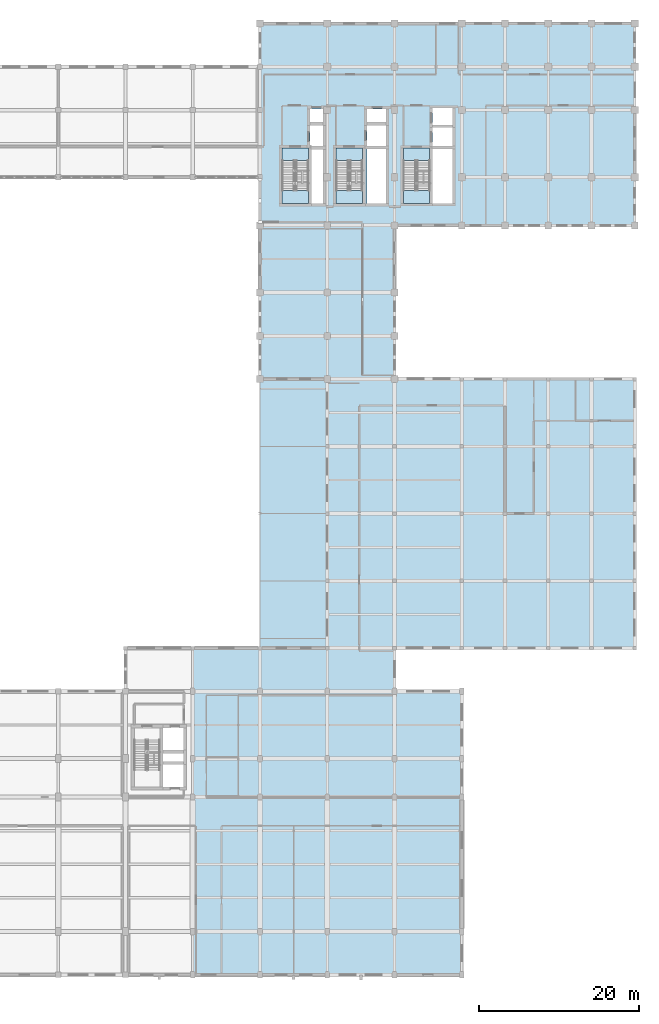
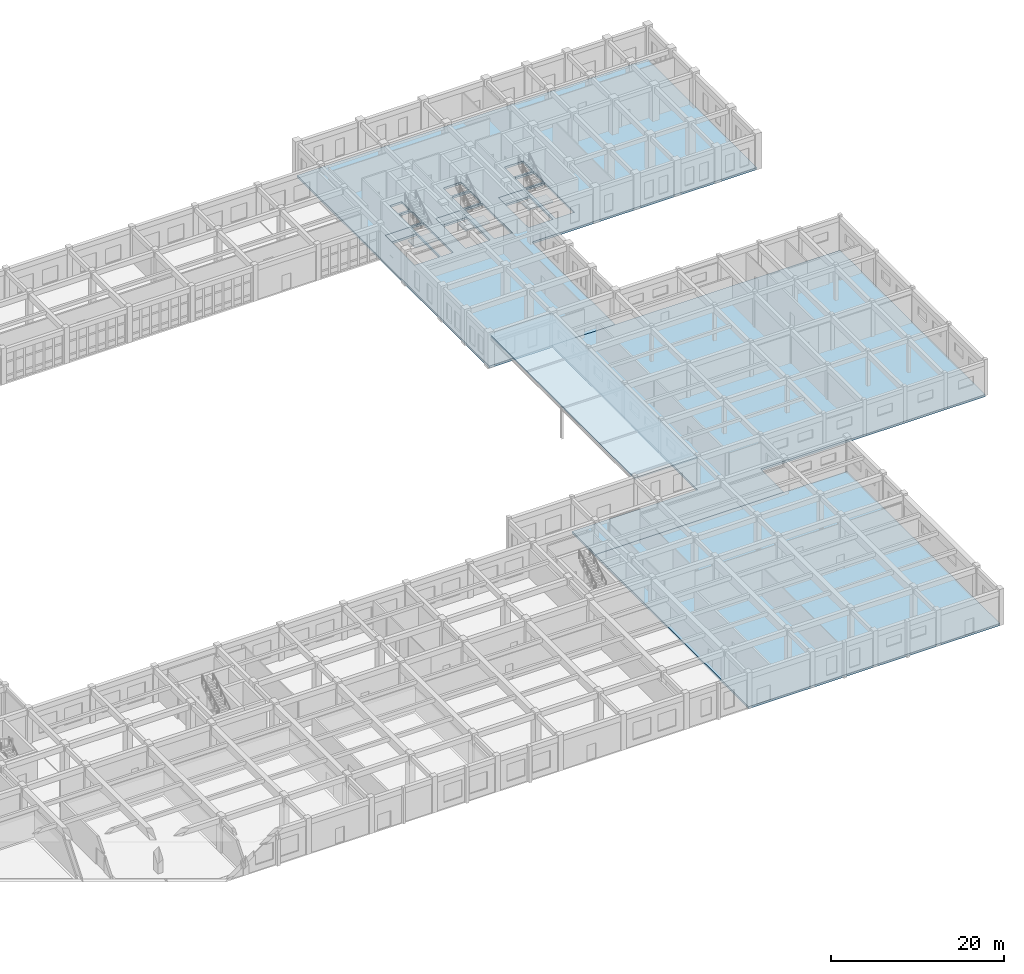
# One storey, part 50 of 80: 10 slabs, 3 elements without a shape of their own.
"""IFC4 building model written with IfcOpenShell, lengths in metres."""

from ifc_helpers import new_model, si_unit, direction, frame, origin, place, context, subcontext, project, spatial, polyline, outline, extrude, material, layer, layer_set, type_object, element, aggregate, save


model = new_model("IFC4")

# Units and contexts
model_context = context("Model", 3, precision=1e-05, world=origin(), true_north=direction((0.0, 1.0)))
body_context = subcontext(model_context, "Body", "Model", "MODEL_VIEW")
ifc_project = project(units=[si_unit("LENGTHUNIT", "METRE"), si_unit("AREAUNIT", "SQUARE_METRE"), si_unit("VOLUMEUNIT", "CUBIC_METRE"), si_unit("PLANEANGLEUNIT", "RADIAN"), si_unit("MASSUNIT", "GRAM", prefix="KILO")], contexts=[model_context])

# Site, building, storey
site_placement = place(None, origin())
site = spatial("IfcSite", under=ifc_project, at=site_placement, CompositionType="ELEMENT")
building_placement = place(site_placement, origin())
building = spatial("IfcBuilding", under=site, at=building_placement, Name="Krzemoval Escarpment Law Courts", CompositionType="ELEMENT")
storey_placement = place(building_placement, origin())
storey = spatial("IfcBuildingStorey", under=building, at=storey_placement, Name="L00", CompositionType="ELEMENT", Elevation=0.0)

# Slabs
ifc_material_1 = material(Name="Concrete C40/50", Category="concrete")
ifc_layer_1 = layer(ifc_material_1, 0.300048828125)
ifc_layer_set_1 = layer_set([ifc_layer_1], Name="Concrete C40/50")
slab_type_1 = type_object("IfcSlabType", Name="SL-FLR-300", PredefinedType="FLOOR", material=ifc_layer_set_1)
slab_1_placement = place(storey_placement, frame((0.0, 0.0, -0.300048828125)))
element("IfcSlab", 1, at=slab_1_placement, inside=storey, type_object=slab_type_1, Name="Floor Slab SL-L00-V3-010", PredefinedType="FLOOR", context=body_context, shape_type="SweptSolid", body=[
    extrude(outline(polyline([(151.199951171875, 35.39990234375), (151.199951171875, 0.0), (117.639892578125, 0.0), (117.639892578125, 35.39990234375), (151.199951171875, 35.39990234375)])), origin(), (0.0, 0.0, 1.0), 0.300048828125),
])
slab_2_placement = place(storey_placement, frame((0.0, 0.0, -0.300048828125)))
element("IfcSlab", 2, at=slab_2_placement, inside=storey, type_object=slab_type_1, Name="Floor Slab SL-L00-V5-014", PredefinedType="FLOOR", context=body_context, shape_type="SweptSolid", body=[
    extrude(outline(polyline([(142.800048828125, 93.60009765625), (142.800048828125, 74.39990234375), (126.0, 74.39990234375), (126.0, 118.800048828125), (172.800048828125, 118.800048828125), (172.800048828125, 93.60009765625), (142.800048828125, 93.60009765625)]), holes=[polyline([(133.85009765625, 103.5), (133.85009765625, 106.10009765625), (132.25, 106.10009765625), (132.25, 103.5), (133.85009765625, 103.5)]), polyline([(132.25, 106.35009765625), (133.85009765625, 106.35009765625), (133.85009765625, 108.14990234375), (132.25, 108.14990234375), (132.25, 106.35009765625)]), polyline([(132.25, 103.25), (132.25, 96.35009765625), (133.85009765625, 96.35009765625), (133.85009765625, 103.25), (132.25, 103.25)]), polyline([(141.75, 106.10009765625), (139.35009765625, 106.10009765625), (139.35009765625, 103.5), (141.75, 103.5), (141.75, 106.10009765625)]), polyline([(141.75, 106.35009765625), (141.75, 108.14990234375), (139.35009765625, 108.14990234375), (139.35009765625, 106.35009765625), (141.75, 106.35009765625)]), polyline([(139.35009765625, 96.35009765625), (141.75, 96.35009765625), (141.75, 103.25), (139.35009765625, 103.25), (139.35009765625, 96.35009765625)]), polyline([(147.550048828125, 105.800048828125), (147.550048828125, 103.5), (150.050048828125, 103.5), (150.050048828125, 105.800048828125), (147.550048828125, 105.800048828125)]), polyline([(150.050048828125, 108.25), (147.550048828125, 108.25), (147.550048828125, 106.050048828125), (150.050048828125, 106.050048828125), (150.050048828125, 108.25)]), polyline([(150.050048828125, 96.35009765625), (150.050048828125, 103.25), (147.550048828125, 103.25), (147.550048828125, 96.35009765625), (150.050048828125, 96.35009765625)]), polyline([(128.75, 96.35009765625), (132.050048828125, 96.35009765625), (132.050048828125, 103.25), (128.75, 103.25), (128.75, 96.35009765625)]), polyline([(135.5, 103.25), (135.5, 96.35009765625), (138.800048828125, 96.35009765625), (138.800048828125, 103.25), (135.5, 103.25)]), polyline([(147.199951171875, 103.25), (143.89990234375, 103.25), (143.89990234375, 96.35009765625), (147.199951171875, 96.35009765625), (147.199951171875, 103.25)])]), origin(), (0.0, 0.0, 1.0), 0.300048828125),
])
slab_3_placement = place(storey_placement, frame((0.0, 0.0, -0.300048828125)))
element("IfcSlab", 3, at=slab_3_placement, inside=storey, type_object=slab_type_1, Name="Floor Slab SL-L00-V6-016", PredefinedType="FLOOR", context=body_context, shape_type="SweptSolid", body=[
    extrude(outline(polyline([(117.639892578125, 35.39990234375), (117.639892578125, 40.800048828125), (134.39990234375, 40.800048828125), (134.39990234375, 74.39990234375), (172.800048828125, 74.39990234375), (172.800048828125, 40.800048828125), (142.800048828125, 40.800048828125), (142.800048828125, 35.39990234375), (117.639892578125, 35.39990234375)])), origin(), (0.0, 0.0, 1.0), 0.300048828125),
])
slab_4_placement = place(storey_placement, frame((0.0, 0.0, -0.300048828125)))
element("IfcSlab", 4, at=slab_4_placement, inside=storey, type_object=slab_type_1, Name="Core Floor Landing Slab SL-ST1-L00-FL", PredefinedType="FLOOR", context=body_context, shape_type="SweptSolid", body=[
    extrude(outline(polyline([(128.75, 103.25), (128.75, 101.699951171875), (132.050048828125, 101.699951171875), (132.050048828125, 103.25), (128.75, 103.25)])), origin(), (0.0, 0.0, 1.0), 0.300048828125),
])
slab_5_placement = place(storey_placement, frame((0.0, 0.0, -0.300048828125)))
element("IfcSlab", 5, at=slab_5_placement, inside=storey, type_object=slab_type_1, Name="Core Floor Landing Slab SL-ST2-L00-FL", PredefinedType="FLOOR", context=body_context, shape_type="SweptSolid", body=[
    extrude(outline(polyline([(135.5, 103.25), (135.5, 101.699951171875), (138.800048828125, 101.699951171875), (138.800048828125, 103.25), (135.5, 103.25)])), origin(), (0.0, 0.0, 1.0), 0.300048828125),
])
slab_6_placement = place(storey_placement, frame((0.0, 0.0, -0.300048828125)))
element("IfcSlab", 6, at=slab_6_placement, inside=storey, type_object=slab_type_1, Name="Core Floor Landing Slab SL-ST3-L00-FL", PredefinedType="FLOOR", context=body_context, shape_type="SweptSolid", body=[
    extrude(outline(polyline([(143.89990234375, 103.25), (143.89990234375, 101.699951171875), (147.199951171875, 101.699951171875), (147.199951171875, 103.25), (143.89990234375, 103.25)])), origin(), (0.0, 0.0, 1.0), 0.300048828125),
])

# Stair, slab
ifc_material_2 = material(Name="Concrete C40/50", Category="concrete")
stair_type = type_object("IfcStairType", Name="STR-CORE-1550", PredefinedType="HALF_TURN_STAIR", material=ifc_material_2)
stair_1_placement = place(storey_placement, origin())
stair_1 = element("IfcStair", 7, at=stair_1_placement, inside=storey, type_object=stair_type, Name="L00 ST1", PredefinedType="HALF_TURN_STAIR")
ifc_material_3 = material(Name="Concrete C40/50", Category="concrete")
ifc_layer_2 = layer(ifc_material_3, 0.199951171875)
ifc_layer_set_2 = layer_set([ifc_layer_2], Name="Concrete C40/50")
slab_type_2 = type_object("IfcSlabType", Name="SL-LND-200", PredefinedType="LANDING", material=ifc_layer_set_2)
slab_7_placement = place(storey_placement, frame((0.0, 0.0, 2.35009765625)))
slab_7 = element("IfcSlab", 8, at=slab_7_placement, type_object=slab_type_2, Name="ST1 landing 1", PredefinedType="LANDING", context=body_context, shape_type="SweptSolid", body=[
    extrude(outline(polyline([(128.75, 97.929931640625), (128.75, 96.35009765625), (132.050048828125, 96.35009765625), (132.050048828125, 97.929931640625), (128.75, 97.929931640625)])), origin(), (0.0, 0.0, 1.0), 0.199951171875),
])
aggregate(stair_1, [slab_7])

stair_2_placement = place(storey_placement, origin())
stair_2 = element("IfcStair", 9, at=stair_2_placement, inside=storey, type_object=stair_type, Name="L00 ST2", PredefinedType="HALF_TURN_STAIR")
slab_8_placement = place(storey_placement, frame((0.0, 0.0, 2.35009765625)))
slab_8 = element("IfcSlab", 10, at=slab_8_placement, type_object=slab_type_2, Name="ST2 landing 1", PredefinedType="LANDING", context=body_context, shape_type="SweptSolid", body=[
    extrude(outline(polyline([(135.5, 97.929931640625), (135.5, 96.35009765625), (138.800048828125, 96.35009765625), (138.800048828125, 97.929931640625), (135.5, 97.929931640625)])), origin(), (0.0, 0.0, 1.0), 0.199951171875),
])
aggregate(stair_2, [slab_8])

stair_3_placement = place(storey_placement, origin())
stair_3 = element("IfcStair", 11, at=stair_3_placement, inside=storey, type_object=stair_type, Name="L00 ST3", PredefinedType="HALF_TURN_STAIR")
slab_9_placement = place(storey_placement, frame((0.0, 0.0, 2.35009765625)))
slab_9 = element("IfcSlab", 12, at=slab_9_placement, type_object=slab_type_2, Name="ST3 landing 1", PredefinedType="LANDING", context=body_context, shape_type="SweptSolid", body=[
    extrude(outline(polyline([(143.89990234375, 97.929931640625), (143.89990234375, 96.35009765625), (147.199951171875, 96.35009765625), (147.199951171875, 97.929931640625), (143.89990234375, 97.929931640625)])), origin(), (0.0, 0.0, 1.0), 0.199951171875),
])
aggregate(stair_3, [slab_9])

# Slab
ifc_material_4 = material(Name="Concrete C40/50", Category="concrete")
ifc_layer_3 = layer(ifc_material_4, 0.179931640625)
ifc_layer_set_3 = layer_set([ifc_layer_3], Name="Concrete C40/50")
slab_type_3 = type_object("IfcSlabType", Name="SL-ROOF-FLAT180", PredefinedType="ROOF", material=ifc_layer_set_3)
slab_10_placement = place(storey_placement, frame((0.0, 0.0, 4.419921875)))
element("IfcSlab", 13, at=slab_10_placement, inside=storey, type_object=slab_type_3, Name="Entrance Canopy Roof CAN-PASS-01", PredefinedType="ROOF", context=body_context, shape_type="SweptSolid", body=[
    extrude(outline(polyline([(134.39990234375, 40.800048828125), (134.39990234375, 74.39990234375), (126.0, 74.39990234375), (126.0, 40.800048828125), (134.39990234375, 40.800048828125)])), origin(), (0.0, 0.0, 1.0), 0.18017578125),
])

save(model, "model.ifc")
